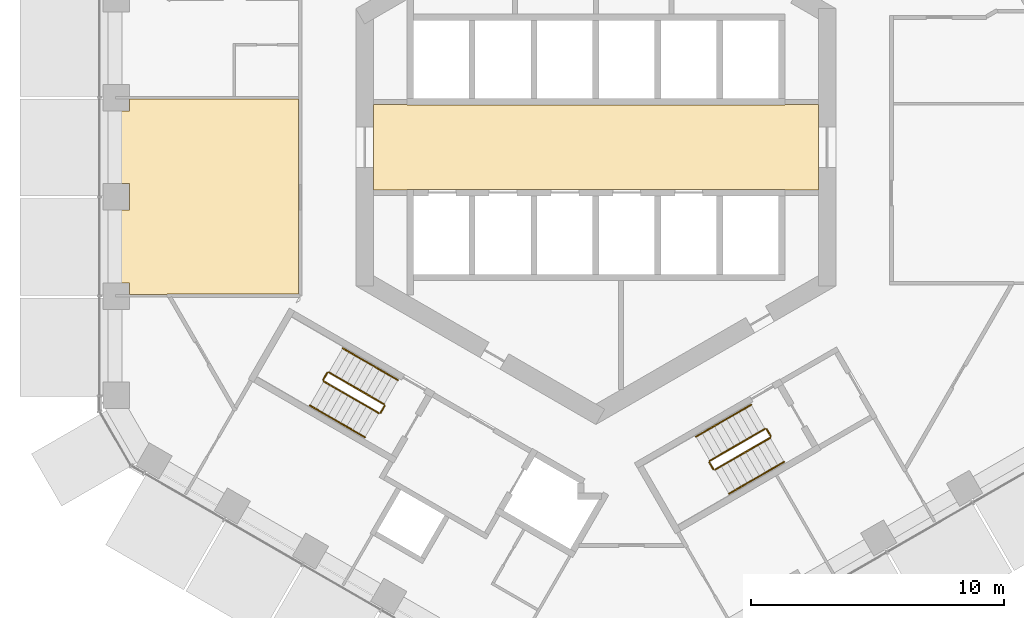
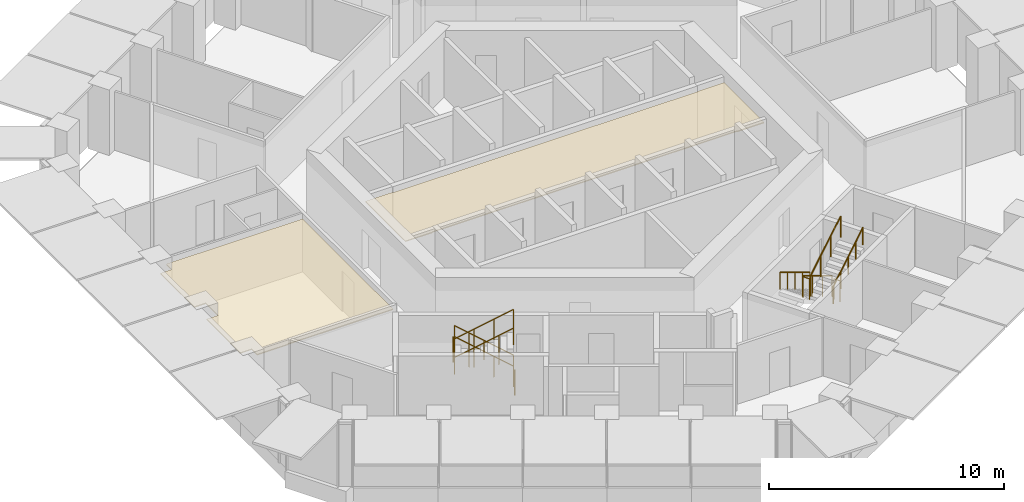
# One storey, part 17 of 18: 16 railings, 2 coverings.
"""IFC4 building model written with IfcOpenShell, lengths in metres."""

import ifcopenshell
import ifcopenshell.guid

model = None  # the IFC model being written
_history = None  # IfcOwnerHistory: only IFC2X3 demands one
_inside = {}  # id of a spatial element -> (the spatial element, [elements in it])
_under = {}  # id of a project, library or spatial element -> (it, [spatial elements below it])
_declared = {}  # id of a project -> (the project, [libraries it declares])
_typed = {}  # id of a type object -> (the type object, [elements of that type])
_made_of = {}  # id of a material, layer set ... -> (it, [elements and type objects made of it])


def new_model(schema):
    """Start an empty IFC model of exactly this schema.

    Asked for "IFC4X3", IfcOpenShell would pick the latest addendum, in which some entities
    have other attributes; the version numbers below select the first issue.
    IFC2X3 requires an IfcOwnerHistory on every rooted entity: one is made here for all.
    """
    global model, _history
    if schema == "IFC4X3":
        model = ifcopenshell.file(schema_version=(4, 3, 0, 0))
    else:
        model = ifcopenshell.file(schema=schema)
    _inside.clear()
    _under.clear()
    _declared.clear()
    _typed.clear()
    _made_of.clear()
    _history = None
    if model.schema == "IFC2X3":
        org = make("IfcOrganization", Name="unknown")
        user = make(
            "IfcPersonAndOrganization",
            ThePerson=make("IfcPerson", FamilyName="unknown"),
            TheOrganization=org,
        )
        app = make(
            "IfcApplication",
            ApplicationDeveloper=org,
            Version="unknown",
            ApplicationFullName="unknown",
            ApplicationIdentifier="unknown",
        )
        _history = make(
            "IfcOwnerHistory",
            OwningUser=user,
            OwningApplication=app,
            ChangeAction="ADDED",
            CreationDate=0,
        )
    return model


def make(cls, **values):
    """One entity of the class cls with the attributes given. An attribute that is None is left unset."""
    return model.create_entity(
        cls, **{name: value for name, value in values.items() if value is not None}
    )


def rooted(cls, **values):
    """An entity with a GlobalId (a new one), such as an element, a storey or a relation."""
    return make(cls, GlobalId=ifcopenshell.guid.new(), OwnerHistory=_history, **values)


def si_unit(unit_type, name, prefix=None):
    """IfcSIUnit, for example si_unit("LENGTHUNIT", "METRE", prefix="MILLI")."""
    return make("IfcSIUnit", UnitType=unit_type, Prefix=prefix, Name=name)


def assignment(units):
    """IfcUnitAssignment: the units of a project."""
    return None if units is None else make("IfcUnitAssignment", Units=units)


def point(xyz):
    """IfcCartesianPoint."""
    return None if xyz is None else make("IfcCartesianPoint", Coordinates=xyz)


def direction(xyz):
    """IfcDirection."""
    return None if xyz is None else make("IfcDirection", DirectionRatios=xyz)


def frame(location, z_axis=None, x_axis=None):
    """IfcAxis2Placement3D, a coordinate frame: its origin and axes. An axis left out is left unset."""
    return make(
        "IfcAxis2Placement3D",
        Location=point(location),
        Axis=direction(z_axis),
        RefDirection=direction(x_axis),
    )


def frame_2d(location, x_axis=None):
    """IfcAxis2Placement2D, a coordinate frame in the plane: its origin and x axis."""
    return make(
        "IfcAxis2Placement2D", Location=point(location), RefDirection=direction(x_axis)
    )


def origin():
    """The frame at (0, 0, 0) with its axes left unset."""
    return frame((0.0, 0.0, 0.0))


def origin_2d():
    """The frame at (0, 0) in the plane with its x axis left unset."""
    return frame_2d((0.0, 0.0))


def place(relative_to, where):
    """IfcLocalPlacement: puts the frame where relative to a parent placement (None: the world)."""
    return make(
        "IfcLocalPlacement", PlacementRelTo=relative_to, RelativePlacement=where
    )


def context(
    kind, dimensions, precision=None, world=None, true_north=None, identifier=None
):
    """IfcGeometricRepresentationContext, for example the 3D "Model" context."""
    return make(
        "IfcGeometricRepresentationContext",
        ContextIdentifier=identifier,
        ContextType=kind,
        CoordinateSpaceDimension=dimensions,
        Precision=precision,
        WorldCoordinateSystem=world,
        TrueNorth=true_north,
    )


def subcontext(parent, identifier, kind, view, scale=None):
    """IfcGeometricRepresentationSubContext, for example "Body" below "Model"."""
    return make(
        "IfcGeometricRepresentationSubContext",
        ContextIdentifier=identifier,
        ContextType=kind,
        ParentContext=parent,
        TargetScale=scale,
        TargetView=view,
    )


def project(units=None, contexts=None):
    """IfcProject with its units and contexts."""
    return rooted(
        "IfcProject",
        Name="project",
        RepresentationContexts=contexts,
        UnitsInContext=assignment(units),
    )


def spatial(cls, under=None, at=None, **own):
    """A site, building, storey or space (cls), placed at a placement, below another one or the project."""
    s = rooted(cls, ObjectPlacement=at, **own)
    if under is not None:
        _under.setdefault(under.id(), (under, []))[1].append(s)
    return s


def polyline(points):
    """IfcPolyline through the points."""
    return make("IfcPolyline", Points=[point(p) for p in points])


def profile(cls, at=None, kind="AREA", **sizes):
    """A parametric profile (cls). Its sizes go by their IFC names, for example OverallWidth=200.0."""
    return make(cls, ProfileType=kind, Position=at, **sizes)


def circle(**sizes):
    """IfcCircleProfileDef."""
    return profile("IfcCircleProfileDef", **sizes)


def outline(outer, holes=None, kind="AREA"):
    """IfcArbitraryClosedProfileDef: a profile drawn as a closed curve; with holes, ...WithVoids."""
    if holes is None:
        return make("IfcArbitraryClosedProfileDef", ProfileType=kind, OuterCurve=outer)
    return make(
        "IfcArbitraryProfileDefWithVoids",
        ProfileType=kind,
        OuterCurve=outer,
        InnerCurves=holes,
    )


def extrude(swept, where, along, depth):
    """IfcExtrudedAreaSolid: the profile swept, set in the frame where, extruded along a direction by depth."""
    return make(
        "IfcExtrudedAreaSolid",
        SweptArea=swept,
        Position=where,
        ExtrudedDirection=direction(along),
        Depth=depth,
    )


def shape(context_of_items, identifier, shape_type, items):
    """IfcShapeRepresentation: the items that make up one representation, for example the "Body"."""
    return make(
        "IfcShapeRepresentation",
        ContextOfItems=context_of_items,
        RepresentationIdentifier=identifier,
        RepresentationType=shape_type,
        Items=items,
    )


def material(Name=None, Category=None):
    """IfcMaterial."""
    return make("IfcMaterial", Name=Name, Category=Category)


def layer(
    of_material, thickness, ventilated=None, Name=None, Category=None, Priority=None
):
    """IfcMaterialLayer: one layer of a wall or slab, of a material (None: an air gap)."""
    return make(
        "IfcMaterialLayer",
        Material=of_material,
        LayerThickness=thickness,
        IsVentilated=ventilated,
        Name=Name,
        Category=Category,
        Priority=Priority,
    )


def layer_set(layers, Name=None):
    """IfcMaterialLayerSet."""
    return make("IfcMaterialLayerSet", MaterialLayers=layers, LayerSetName=Name)


def made_of(thing, what):
    """Note that an element or type object is made of a material, layer set ...; save() writes the relation."""
    if what is not None:
        _made_of.setdefault(what.id(), (what, []))[1].append(thing)
    return thing


def type_object(cls, material=None, **own):
    """A type object (cls), such as IfcWallType, which elements share."""
    return made_of(rooted(cls, **own), material)


def element(
    cls,
    number,
    at=None,
    inside=None,
    cuts=None,
    type_object=None,
    material=None,
    context=None,
    identifier="Body",
    shape_type=None,
    held_by="IfcProductDefinitionShape",
    body=None,
    shapes=None,
    **own,
):
    """One element of the class cls, such as IfcWall. Its Tag is "e" and its number.

    at: its placement. inside: the storey or other place that contains it. cuts: it is an
    opening in that element (IfcRelVoidsElement). A single representation is given by context,
    identifier, shape_type and body (its items); several are given by shapes. held_by: the class
    of the entity that holds the representations. save() writes the other relations.
    """
    e = rooted(cls, Tag="e%d" % number, ObjectPlacement=at, **own)
    if body is not None:
        shapes = [shape(context, identifier, shape_type, body)]
    if shapes is not None:
        e.Representation = make(held_by, Representations=shapes)
    if inside is not None:
        _inside.setdefault(inside.id(), (inside, []))[1].append(e)
    if cuts is not None:
        rooted(
            "IfcRelVoidsElement", RelatingBuildingElement=cuts, RelatedOpeningElement=e
        )
    if type_object is not None:
        _typed.setdefault(type_object.id(), (type_object, []))[1].append(e)
    return made_of(e, material)


def aggregate(whole, parts):
    """IfcRelAggregates: a whole, such as a stair, and the parts it consists of."""
    return rooted("IfcRelAggregates", RelatingObject=whole, RelatedObjects=parts)


def save(model, path):
    """Write the relations noted so far, then the file.

    IfcRelAggregates (storeys below a building ...), IfcRelContainedInSpatialStructure (elements
    in a storey), IfcRelDefinesByType, IfcRelAssociatesMaterial and IfcRelDeclares: one each for
    every whole, place, type object, material and project.
    """
    for whole, parts in _under.values():
        aggregate(whole, parts)
    for where, things in _inside.values():
        rooted(
            "IfcRelContainedInSpatialStructure",
            RelatedElements=things,
            RelatingStructure=where,
        )
    for kind, things in _typed.values():
        rooted("IfcRelDefinesByType", RelatedObjects=things, RelatingType=kind)
    for what, things in _made_of.values():
        rooted("IfcRelAssociatesMaterial", RelatedObjects=things, RelatingMaterial=what)
    for by, libraries in _declared.values():
        rooted("IfcRelDeclares", RelatingContext=by, RelatedDefinitions=libraries)
    model.write(path)


model = new_model("IFC4")

# Units and contexts
model_context = context("Model", 3, precision=1e-05, world=origin(), true_north=direction((0.0, 1.0)))
body_context = subcontext(model_context, "Body", "Model", "MODEL_VIEW")
ifc_project = project(units=[si_unit("LENGTHUNIT", "METRE"), si_unit("AREAUNIT", "SQUARE_METRE"), si_unit("VOLUMEUNIT", "CUBIC_METRE"), si_unit("PLANEANGLEUNIT", "RADIAN"), si_unit("MASSUNIT", "GRAM", prefix="KILO")], contexts=[model_context])

# Site, building, storey
site_placement = place(None, origin())
site = spatial("IfcSite", under=ifc_project, at=site_placement, CompositionType="ELEMENT")
building_placement = place(site_placement, origin())
building = spatial("IfcBuilding", under=site, at=building_placement, Name="Ayvan Gate Tower", CompositionType="ELEMENT")
storey_placement = place(building_placement, frame((0.0, 0.0, 110.300048828125)))
storey = spatial("IfcBuildingStorey", under=building, at=storey_placement, Name="L29", CompositionType="ELEMENT", Elevation=110.300048828125)

# Coverings
ifc_material_1 = material(Name="Plasterboard suspended ceiling")
ifc_layer = layer(ifc_material_1, 0.050048828125)
ifc_layer_set = layer_set([ifc_layer], Name="Plasterboard suspended ceiling")
covering_type = type_object("IfcCoveringType", Name="CT-SUSP-50", PredefinedType="CEILING", material=ifc_layer_set)
covering_1_placement = place(storey_placement, frame((0.0, 0.0, 2.699951171875)))
element("IfcCovering", 1, at=covering_1_placement, inside=storey, type_object=covering_type, Name="Ceiling Lift Lobby L29", PredefinedType="CEILING", context=body_context, shape_type="SweptSolid", body=[
    extrude(outline(polyline([(7.47509765625, -1.675048828125), (-7.47509765625, -1.675048828125), (-7.47509765625, -1.699951171875), (-8.800048828125, -1.699951171875), (-8.800048828125, 1.699951171875), (-7.47509765625, 1.699951171875), (-7.47509765625, 1.675048828125), (7.47509765625, 1.675048828125), (7.47509765625, 1.699951171875), (8.800048828125, 1.699951171875), (8.800048828125, -1.699951171875), (7.47509765625, -1.699951171875), (7.47509765625, -1.675048828125)])), origin(), (0.0, 0.0, 1.0), 0.050048828125),
])
covering_2_placement = place(storey_placement, frame((0.0, 0.0, 2.699951171875)))
element("IfcCovering", 2, at=covering_2_placement, inside=storey, type_object=covering_type, Name="Ceiling Study Lounge L29", PredefinedType="CEILING", context=body_context, shape_type="SweptSolid", body=[
    extrude(outline(polyline([(-18.4560546875, 1.436767578125), (-18.4560546875, 1.908447265625), (-11.77490234375, 1.908447265625), (-11.77490234375, -5.80029296875), (-16.96142578125, -5.80029296875), (-16.96142578125, -5.8251953125), (-18.4560546875, -5.8251953125), (-18.4560546875, -5.360595703125), (-19.0107421875, -5.360595703125), (-19.0107421875, -2.48681640625), (-18.4560546875, -2.48681640625), (-18.4560546875, -1.436767578125), (-19.0107421875, -1.436767578125), (-19.0107421875, 1.436767578125), (-18.4560546875, 1.436767578125)])), origin(), (0.0, 0.0, 1.0), 0.050048828125),
])

# Railings
ifc_material_2 = material(Name="Stainless steel balustrade", Category="steel")
railing_type_1 = type_object("IfcRailingType", Name="RL-GUARD-1100", PredefinedType="GUARDRAIL", material=ifc_material_2)
railing_1_placement = place(storey_placement, frame((-8.381103515625, -10.16650390625, 0.169921875)))
element("IfcRailing", 3, at=railing_1_placement, inside=storey, type_object=railing_type_1, Name="L29 STS2 stair guard 1", PredefinedType="GUARDRAIL", context=body_context, shape_type="SweptSolid", body=[
    extrude(circle(Radius=0.02392578125, at=origin_2d()), frame((0.0, 0.0, 1.076171875), z_axis=(-0.740261155115, 0.427395438142, 0.518986090067), x_axis=(-0.500004791531, -0.866022637375, 0.0)), (0.0, 0.0, 1.0), 2.947998046875),
    extrude(circle(Radius=0.02099609375, at=origin_2d()), origin(), (0.0, 0.0, 1.0), 1.052001953125),
    extrude(circle(Radius=0.02099609375, at=origin_2d()), frame((-0.7275390625, 0.419921875, 0.510009765625)), (0.0, 0.0, 1.0), 1.052001953125),
    extrude(circle(Radius=0.02099609375, at=origin_2d()), frame((-1.454833984375, 0.840087890625, 1.02001953125)), (0.0, 0.0, 1.0), 1.052001953125),
    extrude(circle(Radius=0.02099609375, at=origin_2d()), frame((-2.182373046875, 1.260009765625, 1.530029296875)), (0.0, 0.0, 1.0), 1.052001953125),
])
railing_2_placement = place(storey_placement, frame((-10.6318359375, -8.9248046875, 1.699951171875)))
element("IfcRailing", 4, at=railing_2_placement, inside=storey, type_object=railing_type_1, Name="L29 STS2 stair guard 2", PredefinedType="GUARDRAIL", context=body_context, shape_type="SweptSolid", body=[
    extrude(circle(Radius=0.02392578125, at=origin_2d()), frame((0.0, 0.0, 1.076171875), z_axis=(-0.499949632511, -0.866054481515, 0.0), x_axis=(0.866054481515, -0.499949632511, 0.0)), (0.0, 0.0, 1.0), 0.31005859375),
    extrude(circle(Radius=0.02099609375, at=origin_2d()), origin(), (0.0, 0.0, 1.0), 1.052001953125),
    extrude(circle(Radius=0.02099609375, at=origin_2d()), frame((-0.155029296875, -0.2685546875, 0.0)), (0.0, 0.0, 1.0), 1.052001953125),
])
railing_3_placement = place(storey_placement, frame((-10.7685546875, -9.261474609375, 1.869873046875)))
element("IfcRailing", 5, at=railing_3_placement, inside=storey, type_object=railing_type_1, Name="L29 STS2 stair guard 3", PredefinedType="GUARDRAIL", context=body_context, shape_type="SweptSolid", body=[
    extrude(circle(Radius=0.02392578125, at=origin_2d()), frame((0.0, 0.0, 1.076171875), z_axis=(0.740261155115, -0.427395438142, 0.518986090067), x_axis=(0.500004791531, 0.866022637375, 0.0)), (0.0, 0.0, 1.0), 2.947998046875),
    extrude(circle(Radius=0.02099609375, at=origin_2d()), origin(), (0.0, 0.0, 1.0), 1.052001953125),
    extrude(circle(Radius=0.02099609375, at=origin_2d()), frame((0.7275390625, -0.419921875, 0.510009765625)), (0.0, 0.0, 1.0), 1.052001953125),
    extrude(circle(Radius=0.02099609375, at=origin_2d()), frame((1.454833984375, -0.840087890625, 1.02001953125)), (0.0, 0.0, 1.0), 1.052001953125),
    extrude(circle(Radius=0.02099609375, at=origin_2d()), frame((2.182373046875, -1.260009765625, 1.530029296875)), (0.0, 0.0, 1.0), 1.052001953125),
])
railing_4_placement = place(storey_placement, frame((-8.36279296875, -10.23486328125, 0.0)))
element("IfcRailing", 6, at=railing_4_placement, inside=storey, type_object=railing_type_1, Name="L29 STS2 stair guard 4", PredefinedType="GUARDRAIL", context=body_context, shape_type="SweptSolid", body=[
    extrude(circle(Radius=0.02392578125, at=origin_2d()), frame((0.0, 0.0, 1.076171875), z_axis=(-0.500290723946, -0.86585748916, 0.0), x_axis=(0.86585748916, -0.500290723946, 0.0)), (0.0, 0.0, 1.0), 0.309814453125),
    extrude(circle(Radius=0.02099609375, at=origin_2d()), origin(), (0.0, 0.0, 1.0), 1.052001953125),
    extrude(circle(Radius=0.02099609375, at=origin_2d()), frame((-0.155029296875, -0.268310546875, 0.0)), (0.0, 0.0, 1.0), 1.052001953125),
])
railing_5_placement = place(storey_placement, frame((6.6923828125, -11.1416015625, 0.169921875)))
element("IfcRailing", 7, at=railing_5_placement, inside=storey, type_object=railing_type_1, Name="L29 STS3 stair guard 1", PredefinedType="GUARDRAIL", context=body_context, shape_type="SweptSolid", body=[
    extrude(circle(Radius=0.02392578125, at=origin_2d()), frame((0.0, 0.0, 1.076171875), z_axis=(-0.740261155115, -0.427395438142, 0.518986090067), x_axis=(0.500004791531, -0.866022637375, 0.0)), (0.0, 0.0, 1.0), 2.947998046875),
    extrude(circle(Radius=0.02099609375, at=origin_2d()), origin(), (0.0, 0.0, 1.0), 1.052001953125),
    extrude(circle(Radius=0.02099609375, at=origin_2d()), frame((-0.7275390625, -0.419921875, 0.510009765625)), (0.0, 0.0, 1.0), 1.052001953125),
    extrude(circle(Radius=0.02099609375, at=origin_2d()), frame((-1.454833984375, -0.840087890625, 1.02001953125)), (0.0, 0.0, 1.0), 1.052001953125),
    extrude(circle(Radius=0.02099609375, at=origin_2d()), frame((-2.182373046875, -1.260009765625, 1.530029296875)), (0.0, 0.0, 1.0), 1.052001953125),
])
railing_6_placement = place(storey_placement, frame((4.49169921875, -12.4697265625, 1.699951171875)))
element("IfcRailing", 8, at=railing_6_placement, inside=storey, type_object=railing_type_1, Name="L29 STS3 stair guard 2", PredefinedType="GUARDRAIL", context=body_context, shape_type="SweptSolid", body=[
    extrude(circle(Radius=0.02392578125, at=origin_2d()), frame((0.0, 0.0, 1.076171875), z_axis=(0.499949632511, -0.866054481515, 0.0), x_axis=(0.866054481515, 0.499949632511, 0.0)), (0.0, 0.0, 1.0), 0.31005859375),
    extrude(circle(Radius=0.02099609375, at=origin_2d()), origin(), (0.0, 0.0, 1.0), 1.052001953125),
    extrude(circle(Radius=0.02099609375, at=origin_2d()), frame((0.155029296875, -0.2685546875, 0.0)), (0.0, 0.0, 1.0), 1.052001953125),
])
railing_7_placement = place(storey_placement, frame((4.715087890625, -12.756591796875, 1.869873046875)))
element("IfcRailing", 9, at=railing_7_placement, inside=storey, type_object=railing_type_1, Name="L29 STS3 stair guard 3", PredefinedType="GUARDRAIL", context=body_context, shape_type="SweptSolid", body=[
    extrude(circle(Radius=0.02392578125, at=origin_2d()), frame((0.0, 0.0, 1.076171875), z_axis=(0.740261155115, 0.427395438142, 0.518986090067), x_axis=(-0.500004791531, 0.866022637375, 0.0)), (0.0, 0.0, 1.0), 2.947998046875),
    extrude(circle(Radius=0.02099609375, at=origin_2d()), origin(), (0.0, 0.0, 1.0), 1.052001953125),
    extrude(circle(Radius=0.02099609375, at=origin_2d()), frame((0.7275390625, 0.419921875, 0.510009765625)), (0.0, 0.0, 1.0), 1.052001953125),
    extrude(circle(Radius=0.02099609375, at=origin_2d()), frame((1.454833984375, 0.840087890625, 1.02001953125)), (0.0, 0.0, 1.0), 1.052001953125),
    extrude(circle(Radius=0.02099609375, at=origin_2d()), frame((2.182373046875, 1.260009765625, 1.530029296875)), (0.0, 0.0, 1.0), 1.052001953125),
])
railing_8_placement = place(storey_placement, frame((6.7607421875, -11.159912109375, 0.0)))
element("IfcRailing", 10, at=railing_8_placement, inside=storey, type_object=railing_type_1, Name="L29 STS3 stair guard 4", PredefinedType="GUARDRAIL", context=body_context, shape_type="SweptSolid", body=[
    extrude(circle(Radius=0.02392578125, at=origin_2d()), frame((0.0, 0.0, 1.076171875), z_axis=(0.500290723946, -0.86585748916, 0.0), x_axis=(0.86585748916, 0.500290723946, 0.0)), (0.0, 0.0, 1.0), 0.309814453125),
    extrude(circle(Radius=0.02099609375, at=origin_2d()), origin(), (0.0, 0.0, 1.0), 1.052001953125),
    extrude(circle(Radius=0.02099609375, at=origin_2d()), frame((0.155029296875, -0.268310546875, 0.0)), (0.0, 0.0, 1.0), 1.052001953125),
])
railing_type_2 = type_object("IfcRailingType", Name="RL-HANDRAIL-900", PredefinedType="HANDRAIL", material=ifc_material_2)
railing_9_placement = place(storey_placement, frame((-7.8310546875, -9.2138671875, 0.169921875)))
element("IfcRailing", 11, at=railing_9_placement, inside=storey, type_object=railing_type_2, Name="L29 STS2 stair handrail 1", PredefinedType="HANDRAIL", context=body_context, shape_type="SweptSolid", body=[
    extrude(circle(Radius=0.02392578125, at=origin_2d()), frame((0.0, 0.0, 0.8759765625), z_axis=(-0.740292964666, 0.42728318766, 0.519033143459), x_axis=(-0.499890179513, -0.866088799389, 0.0)), (0.0, 0.0, 1.0), 1.47412109375),
    extrude(circle(Radius=0.02099609375, at=origin_2d()), origin(), (0.0, 0.0, 1.0), 0.851806640625),
    extrude(circle(Radius=0.02099609375, at=origin_2d()), frame((-0.545654296875, 0.31494140625, 0.382568359375)), (0.0, 0.0, 1.0), 0.851806640625),
    extrude(circle(Radius=0.02099609375, at=origin_2d()), frame((-1.09130859375, 0.6298828125, 0.76513671875)), (0.0, 0.0, 1.0), 0.851806640625),
])
railing_10_placement = place(storey_placement, frame((-8.92236328125, -8.583984375, 0.93505859375)))
element("IfcRailing", 12, at=railing_10_placement, inside=storey, type_object=railing_type_2, Name="L29 STS2 stair handrail 2", PredefinedType="HANDRAIL", context=body_context, shape_type="SweptSolid", body=[
    extrude(circle(Radius=0.02392578125, at=origin_2d()), frame((0.0, 0.0, 0.8759765625), z_axis=(-0.740229329464, 0.427507697325, 0.518939021976), x_axis=(-0.50011940292, -0.865956455501, 0.0)), (0.0, 0.0, 1.0), 1.473876953125),
    extrude(circle(Radius=0.02099609375, at=origin_2d()), origin(), (0.0, 0.0, 1.0), 0.851806640625),
    extrude(circle(Radius=0.02099609375, at=origin_2d()), frame((-0.54541015625, 0.31494140625, 0.38232421875)), (0.0, 0.0, 1.0), 0.851806640625),
    extrude(circle(Radius=0.02099609375, at=origin_2d()), frame((-1.091064453125, 0.630126953125, 0.764892578125)), (0.0, 0.0, 1.0), 0.851806640625),
])
railing_11_placement = place(storey_placement, frame((-11.318603515625, -10.214111328125, 1.869873046875)))
element("IfcRailing", 13, at=railing_11_placement, inside=storey, type_object=railing_type_2, Name="L29 STS2 stair handrail 3", PredefinedType="HANDRAIL", context=body_context, shape_type="SweptSolid", body=[
    extrude(circle(Radius=0.02392578125, at=origin_2d()), frame((0.0, 0.0, 0.8759765625), z_axis=(0.740240574041, -0.427418550694, 0.518996411419), x_axis=(0.500035496587, 0.86600490885, 0.0)), (0.0, 0.0, 1.0), 1.474365234375),
    extrude(circle(Radius=0.02099609375, at=origin_2d()), origin(), (0.0, 0.0, 1.0), 0.851806640625),
    extrude(circle(Radius=0.02099609375, at=origin_2d()), frame((0.545654296875, -0.31494140625, 0.382568359375)), (0.0, 0.0, 1.0), 0.851806640625),
    extrude(circle(Radius=0.02099609375, at=origin_2d()), frame((1.09130859375, -0.630126953125, 0.76513671875)), (0.0, 0.0, 1.0), 0.851806640625),
])
railing_12_placement = place(storey_placement, frame((-10.227294921875, -10.84423828125, 2.635009765625)))
element("IfcRailing", 14, at=railing_12_placement, inside=storey, type_object=railing_type_2, Name="L29 STS2 stair handrail 4", PredefinedType="HANDRAIL", context=body_context, shape_type="SweptSolid", body=[
    extrude(circle(Radius=0.02392578125, at=origin_2d()), frame((0.0, 0.0, 0.8759765625), z_axis=(0.740356597536, -0.427319915356, 0.518912129772), x_axis=(0.499890179513, 0.866088799389, 0.0)), (0.0, 0.0, 1.0), 1.47412109375),
    extrude(circle(Radius=0.02099609375, at=origin_2d()), origin(), (0.0, 0.0, 1.0), 0.851806640625),
    extrude(circle(Radius=0.02099609375, at=origin_2d()), frame((0.545654296875, -0.31494140625, 0.38232421875)), (0.0, 0.0, 1.0), 0.851806640625),
    extrude(circle(Radius=0.02099609375, at=origin_2d()), frame((1.09130859375, -0.6298828125, 0.764892578125)), (0.0, 0.0, 1.0), 0.851806640625),
])
railing_13_placement = place(storey_placement, frame((6.142333984375, -10.18896484375, 0.169921875)))
element("IfcRailing", 15, at=railing_13_placement, inside=storey, type_object=railing_type_2, Name="L29 STS3 stair handrail 1", PredefinedType="HANDRAIL", context=body_context, shape_type="SweptSolid", body=[
    extrude(circle(Radius=0.02392578125, at=origin_2d()), frame((0.0, 0.0, 0.8759765625), z_axis=(-0.740218099111, -0.427335577468, 0.519096782863), x_axis=(0.499974077718, -0.866040369504, 0.0)), (0.0, 0.0, 1.0), 1.473876953125),
    extrude(circle(Radius=0.02099609375, at=origin_2d()), origin(), (0.0, 0.0, 1.0), 0.851806640625),
    extrude(circle(Radius=0.02099609375, at=origin_2d()), frame((-0.54541015625, -0.31494140625, 0.382568359375)), (0.0, 0.0, 1.0), 0.851806640625),
    extrude(circle(Radius=0.02099609375, at=origin_2d()), frame((-1.091064453125, -0.6298828125, 0.76513671875)), (0.0, 0.0, 1.0), 0.851806640625),
])
railing_14_placement = place(storey_placement, frame((5.05126953125, -10.81884765625, 0.93505859375)))
element("IfcRailing", 16, at=railing_14_placement, inside=storey, type_object=railing_type_2, Name="L29 STS3 stair handrail 2", PredefinedType="HANDRAIL", context=body_context, shape_type="SweptSolid", body=[
    extrude(circle(Radius=0.02392578125, at=origin_2d()), frame((0.0, 0.0, 0.8759765625), z_axis=(-0.740304193401, -0.427455284825, 0.518875399983), x_axis=(0.500035496587, -0.86600490885, 0.0)), (0.0, 0.0, 1.0), 1.47412109375),
    extrude(circle(Radius=0.02099609375, at=origin_2d()), origin(), (0.0, 0.0, 1.0), 0.851806640625),
    extrude(circle(Radius=0.02099609375, at=origin_2d()), frame((-0.545654296875, -0.31494140625, 0.38232421875)), (0.0, 0.0, 1.0), 0.851806640625),
    extrude(circle(Radius=0.02099609375, at=origin_2d()), frame((-1.09130859375, -0.630126953125, 0.764892578125)), (0.0, 0.0, 1.0), 0.851806640625),
])
railing_15_placement = place(storey_placement, frame((5.264892578125, -13.709228515625, 1.869873046875)))
element("IfcRailing", 17, at=railing_15_placement, inside=storey, type_object=railing_type_2, Name="L29 STS3 stair handrail 3", PredefinedType="HANDRAIL", context=body_context, shape_type="SweptSolid", body=[
    extrude(circle(Radius=0.02392578125, at=origin_2d()), frame((0.0, 0.0, 0.8759765625), z_axis=(0.740240574041, 0.427418550694, 0.518996411419), x_axis=(-0.500035496587, 0.86600490885, 0.0)), (0.0, 0.0, 1.0), 1.474365234375),
    extrude(circle(Radius=0.02099609375, at=origin_2d()), origin(), (0.0, 0.0, 1.0), 0.851806640625),
    extrude(circle(Radius=0.02099609375, at=origin_2d()), frame((0.545654296875, 0.31494140625, 0.382568359375)), (0.0, 0.0, 1.0), 0.851806640625),
    extrude(circle(Radius=0.02099609375, at=origin_2d()), frame((1.09130859375, 0.630126953125, 0.76513671875)), (0.0, 0.0, 1.0), 0.851806640625),
])
railing_16_placement = place(storey_placement, frame((6.356201171875, -13.0791015625, 2.635009765625)))
element("IfcRailing", 18, at=railing_16_placement, inside=storey, type_object=railing_type_2, Name="L29 STS3 stair handrail 4", PredefinedType="HANDRAIL", context=body_context, shape_type="SweptSolid", body=[
    extrude(circle(Radius=0.02392578125, at=origin_2d()), frame((0.0, 0.0, 0.8759765625), z_axis=(0.740281741151, 0.427372318678, 0.518975765278), x_axis=(-0.499974077718, 0.866040369504, 0.0)), (0.0, 0.0, 1.0), 1.473876953125),
    extrude(circle(Radius=0.02099609375, at=origin_2d()), origin(), (0.0, 0.0, 1.0), 0.851806640625),
    extrude(circle(Radius=0.02099609375, at=origin_2d()), frame((0.54541015625, 0.31494140625, 0.38232421875)), (0.0, 0.0, 1.0), 0.851806640625),
    extrude(circle(Radius=0.02099609375, at=origin_2d()), frame((1.091064453125, 0.6298828125, 0.764892578125)), (0.0, 0.0, 1.0), 0.851806640625),
])

save(model, "model.ifc")
